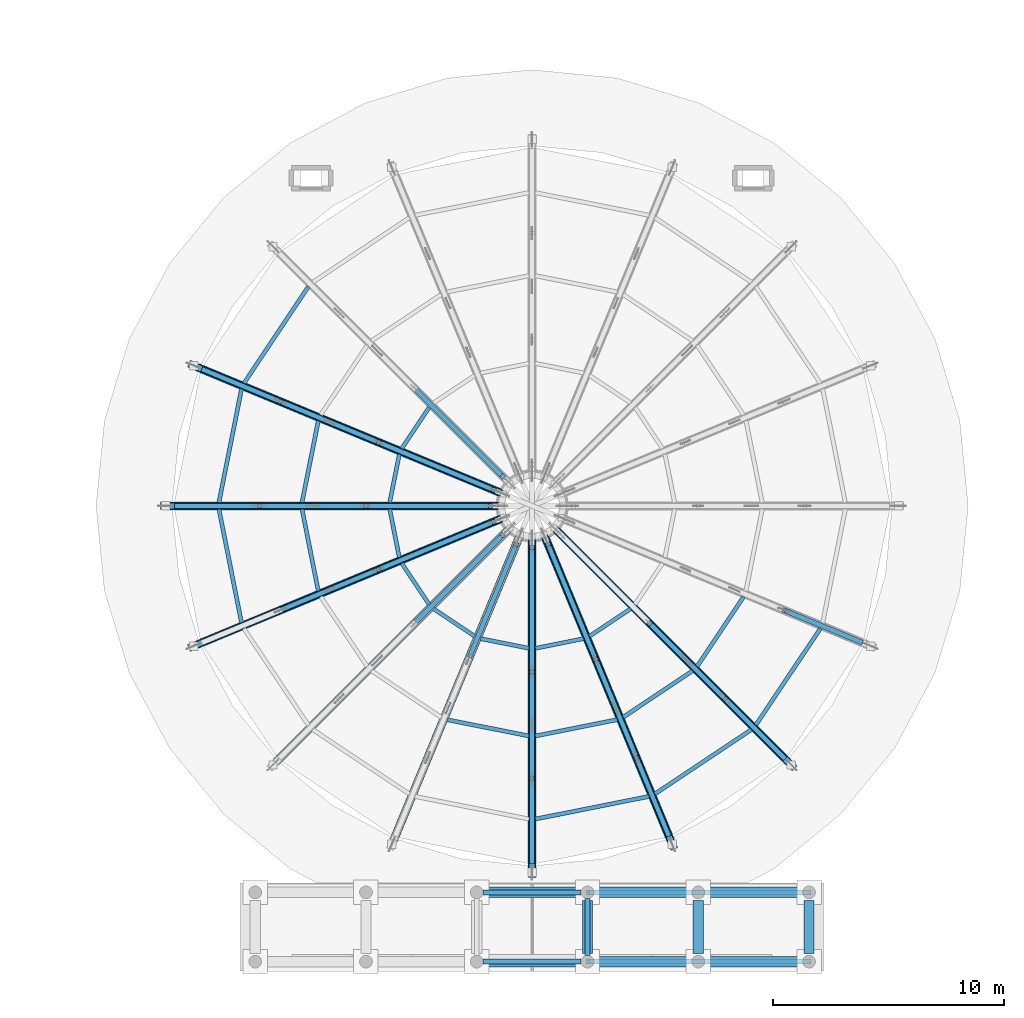
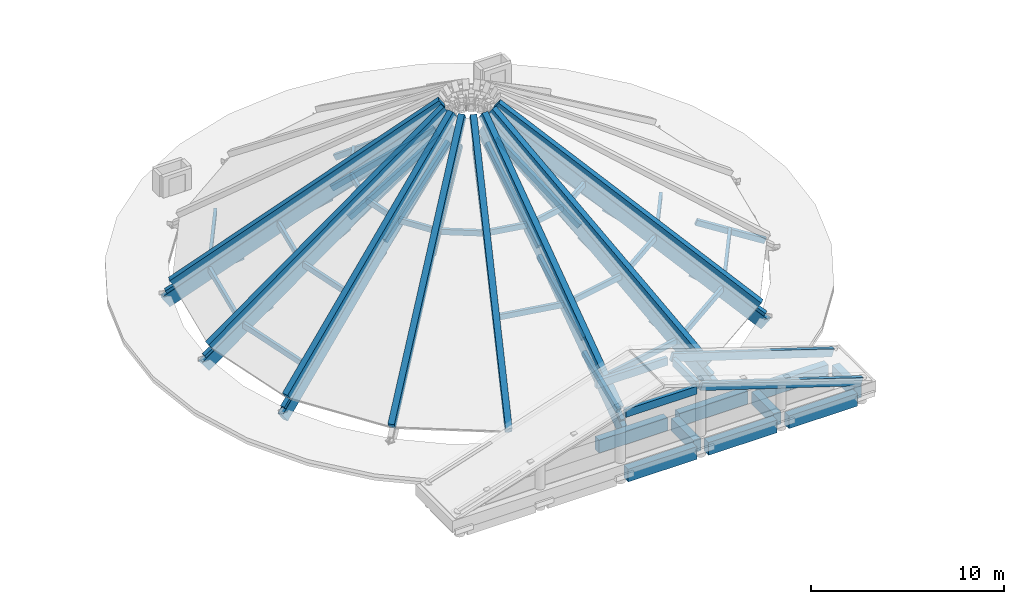
# One storey, part 10 of 58: 54 members, 20 beams.
"""IFC4 building model written with IfcOpenShell, lengths in metres."""

from ifc_helpers import new_model, si_unit, direction, frame, origin, origin_2d, place, context, subcontext, project, spatial, rectangle, extrude, material, material_profile, profile_set, type_object, element, save


model = new_model("IFC4")

# Units and contexts
model_context = context("Model", 3, precision=1e-05, world=origin(), true_north=direction((0.0, 1.0)))
body_context = subcontext(model_context, "Body", "Model", "MODEL_VIEW")
ifc_project = project(units=[si_unit("LENGTHUNIT", "METRE"), si_unit("AREAUNIT", "SQUARE_METRE"), si_unit("VOLUMEUNIT", "CUBIC_METRE"), si_unit("PLANEANGLEUNIT", "RADIAN"), si_unit("MASSUNIT", "GRAM", prefix="KILO")], contexts=[model_context])

# Site, building, storey
site_placement = place(None, origin())
site = spatial("IfcSite", under=ifc_project, at=site_placement, CompositionType="ELEMENT")
building_placement = place(site_placement, origin())
building = spatial("IfcBuilding", under=site, at=building_placement, Name="Aldenvaro Health Centre", CompositionType="ELEMENT")
storey_placement = place(building_placement, frame((0.0, 0.0, 8.75)))
storey = spatial("IfcBuildingStorey", under=building, at=storey_placement, Name="L02", CompositionType="ELEMENT", Elevation=8.75)

# Beams
ifc_material_1 = material(Name="Glulam GL28h", Category="wood")
ifc_material_profile_1 = material_profile(ifc_material_1, rectangle(XDim=0.215087890625, YDim=0.493896484375, at=origin_2d()), Name="GL 215x494", Category="wood")
ifc_profile_set_1 = profile_set([ifc_material_profile_1], Name="Glulam GL28h")
beam_type_1 = type_object("IfcBeamType", Name="BM-GL-494", PredefinedType="BEAM", material=ifc_profile_set_1)
beam_1_placement = place(storey_placement, frame((89.39990234375, 0.52490234375, 4.219970703125), z_axis=(0.0, 1.0, 0.0), x_axis=(-1.0, 0.0, 0.0)))
element("IfcBeam", 1, at=beam_1_placement, inside=storey, type_object=beam_type_1, Name="Portico Pediment Tympanum Tie Beam 2", PredefinedType="BEAM", context=body_context, shape_type="SweptSolid", body=[
    extrude(rectangle(XDim=0.215087890625, YDim=0.493896484375, at=origin_2d()), origin(), (0.0, 0.0, 1.0), 2.4501953125),
])
for number, where, z_axis, x_axis, name in (
    (2, (84.875, 0.25, 4.219970703125), (1.0, 0.0, 0.0), (0.0, 1.0, 0.0), "Portico Pediment Central Ridge Beam 1"),
    (3, (84.875, 3.25, 4.219970703125), (1.0, 0.0, 0.0), (0.0, 1.0, 0.0), "Portico Pediment Central Ridge Beam 2"),
):
    element("IfcBeam", number, at=place(storey_placement, frame(where, z_axis=z_axis, x_axis=x_axis)), inside=storey, type_object=beam_type_1, Name=name, PredefinedType="BEAM", context=body_context, shape_type="SweptSolid", body=[
        extrude(rectangle(XDim=0.215087890625, YDim=0.493896484375, at=origin_2d()), origin(), (0.0, 0.0, 1.0), 4.25),
    ])
ifc_material_2 = material(Name="Concrete f'c 40 MPa", Category="concrete")
ifc_material_profile_2 = material_profile(ifc_material_2, rectangle(XDim=0.35009765625, YDim=0.56005859375, at=origin_2d()), Name="RC 350x560", Category="concrete")
ifc_profile_set_2 = profile_set([ifc_material_profile_2], Name="Concrete f'c 40 MPa")
beam_type_2 = type_object("IfcBeamType", Name="BM-RC-560E", PredefinedType="JOIST", material=ifc_profile_set_2)
beam_2_placement = place(storey_placement, frame((72.660888671875, 25.93896484375, 1.14599609375), z_axis=(0.750685234233, -0.310924451028, 0.582921662711), x_axis=(0.38266289091, 0.923888040793, 0.0)))
element("IfcBeam", 4, at=beam_2_placement, inside=storey, type_object=beam_type_2, Name="Waiting Rotunda Expressed Radial Glulam Roof Rib 08", PredefinedType="JOIST", context=body_context, shape_type="SweptSolid", body=[
    extrude(rectangle(XDim=0.35009765625, YDim=0.56005859375, at=origin_2d()), origin(), (0.0, 0.0, 1.0), 17.316162109375),
])
beam_3_placement = place(storey_placement, frame((71.47998046875, 20.0, 1.14599609375), z_axis=(0.812531427693, 0.0, 0.582917386094), x_axis=(0.0, 1.0, 0.0)))
element("IfcBeam", 5, at=beam_3_placement, inside=storey, type_object=beam_type_2, Name="Waiting Rotunda Expressed Radial Glulam Roof Rib 09", PredefinedType="JOIST", context=body_context, shape_type="SweptSolid", body=[
    extrude(rectangle(XDim=0.35009765625, YDim=0.56005859375, at=origin_2d()), origin(), (0.0, 0.0, 1.0), 17.31640625),
])
beam_4_placement = place(storey_placement, frame((72.660888671875, 14.06103515625, 1.14599609375), z_axis=(0.750685234233, 0.310924451028, 0.582921662711), x_axis=(-0.38266289091, 0.923888040793, 0.0)))
element("IfcBeam", 6, at=beam_4_placement, inside=storey, type_object=beam_type_2, Name="Waiting Rotunda Expressed Radial Glulam Roof Rib 10", PredefinedType="JOIST", context=body_context, shape_type="SweptSolid", body=[
    extrude(rectangle(XDim=0.35009765625, YDim=0.56005859375, at=origin_2d()), origin(), (0.0, 0.0, 1.0), 17.316162109375),
])
beam_5_placement = place(storey_placement, frame((76.02587890625, 9.02587890625, 1.14599609375), z_axis=(0.574549975248, 0.574549975248, 0.582910500751), x_axis=(-0.707106781187, 0.707106781187, 0.0)))
element("IfcBeam", 7, at=beam_5_placement, inside=storey, type_object=beam_type_2, Name="Waiting Rotunda Expressed Radial Glulam Roof Rib 11", PredefinedType="JOIST", context=body_context, shape_type="SweptSolid", body=[
    extrude(rectangle(XDim=0.35009765625, YDim=0.56005859375, at=origin_2d()), origin(), (0.0, 0.0, 1.0), 17.316650390625),
])
beam_6_placement = place(storey_placement, frame((81.06103515625, 5.660888671875, 1.14599609375), z_axis=(0.310924451028, 0.750685234233, 0.582921662711), x_axis=(-0.923888040793, 0.38266289091, 0.0)))
element("IfcBeam", 8, at=beam_6_placement, inside=storey, type_object=beam_type_2, Name="Waiting Rotunda Expressed Radial Glulam Roof Rib 12", PredefinedType="JOIST", context=body_context, shape_type="SweptSolid", body=[
    extrude(rectangle(XDim=0.35009765625, YDim=0.56005859375, at=origin_2d()), origin(), (0.0, 0.0, 1.0), 17.316162109375),
])
beam_7_placement = place(storey_placement, frame((87.0, 4.47998046875, 1.14599609375), z_axis=(0.0, 0.812531427693, 0.582917386094), x_axis=(-1.0, 0.0, 0.0)))
element("IfcBeam", 9, at=beam_7_placement, inside=storey, type_object=beam_type_2, Name="Waiting Rotunda Expressed Radial Glulam Roof Rib 13", PredefinedType="JOIST", context=body_context, shape_type="SweptSolid", body=[
    extrude(rectangle(XDim=0.35009765625, YDim=0.56005859375, at=origin_2d()), origin(), (0.0, 0.0, 1.0), 17.31640625),
])
beam_8_placement = place(storey_placement, frame((92.93896484375, 5.660888671875, 1.14599609375), z_axis=(-0.310924451028, 0.750685234233, 0.582921662711), x_axis=(-0.923888040793, -0.38266289091, 0.0)))
element("IfcBeam", 10, at=beam_8_placement, inside=storey, type_object=beam_type_2, Name="Waiting Rotunda Expressed Radial Glulam Roof Rib 14", PredefinedType="JOIST", context=body_context, shape_type="SweptSolid", body=[
    extrude(rectangle(XDim=0.35009765625, YDim=0.56005859375, at=origin_2d()), origin(), (0.0, 0.0, 1.0), 17.316162109375),
])
beam_9_placement = place(storey_placement, frame((97.97412109375, 9.02587890625, 1.14599609375), z_axis=(-0.574549975248, 0.574549975248, 0.582910500751), x_axis=(-0.707106781187, -0.707106781187, 0.0)))
element("IfcBeam", 11, at=beam_9_placement, inside=storey, type_object=beam_type_2, Name="Waiting Rotunda Expressed Radial Glulam Roof Rib 15", PredefinedType="JOIST", context=body_context, shape_type="SweptSolid", body=[
    extrude(rectangle(XDim=0.35009765625, YDim=0.56005859375, at=origin_2d()), origin(), (0.0, 0.0, 1.0), 17.316650390625),
])
ifc_material_profile_3 = material_profile(ifc_material_2, rectangle(XDim=0.449951171875, YDim=0.800048828125, at=origin_2d()), Name="RC 450x800", Category="concrete")
ifc_profile_set_3 = profile_set([ifc_material_profile_3], Name="Concrete f'c 40 MPa")
beam_type_3 = type_object("IfcBeamType", Name="BM-RC-800", PredefinedType="SPANDREL", material=ifc_profile_set_3)
for number, where, z_axis, x_axis, name in (
    (12, (89.39990234375, 0.60009765625, 0.35009765625), (0.0, 1.0, 0.0), (-1.0, 0.0, 0.0), "Portico Coffered Architrave Tie 4"),
    (13, (94.199951171875, 0.60009765625, 0.35009765625), (0.0, 1.0, 0.0), (-1.0, 0.0, 0.0), "Portico Coffered Architrave Tie 5"),
    (14, (99.0, 0.60009765625, 0.35009765625), (0.0, 1.0, 0.0), (-1.0, 0.0, 0.0), "Portico Coffered Architrave Tie 6"),
):
    element("IfcBeam", number, at=place(storey_placement, frame(where, z_axis=z_axis, x_axis=x_axis)), inside=storey, type_object=beam_type_3, Name=name, PredefinedType="SPANDREL", context=body_context, shape_type="SweptSolid", body=[
        extrude(rectangle(XDim=0.449951171875, YDim=0.800048828125, at=origin_2d()), origin(), (0.0, 0.0, 1.0), 2.2998046875),
    ])
for number, where, z_axis, x_axis, name in (
    (15, (84.949951171875, 0.25, 0.35009765625), (1.0, 0.0, 0.0), (0.0, 1.0, 0.0), "Neoclassical Portico Upper Entablature 3.1"),
    (16, (84.949951171875, 3.25, 0.35009765625), (1.0, 0.0, 0.0), (0.0, 1.0, 0.0), "Neoclassical Portico Upper Entablature 3.2"),
    (17, (89.75, 0.25, 0.35009765625), (1.0, 0.0, 0.0), (0.0, 1.0, 0.0), "Neoclassical Portico Upper Entablature 4.1"),
    (18, (89.75, 3.25, 0.35009765625), (1.0, 0.0, 0.0), (0.0, 1.0, 0.0), "Neoclassical Portico Upper Entablature 4.2"),
):
    element("IfcBeam", number, at=place(storey_placement, frame(where, z_axis=z_axis, x_axis=x_axis)), inside=storey, type_object=beam_type_3, Name=name, PredefinedType="SPANDREL", context=body_context, shape_type="SweptSolid", body=[
        extrude(rectangle(XDim=0.449951171875, YDim=0.800048828125, at=origin_2d()), origin(), (0.0, 0.0, 1.0), 4.10009765625),
    ])
for number, where, z_axis, x_axis, name in (
    (19, (94.550048828125, 0.25, 0.35009765625), (1.0, 0.0, 0.0), (0.0, 1.0, 0.0), "Neoclassical Portico Upper Entablature 5.1"),
    (20, (94.550048828125, 3.25, 0.35009765625), (1.0, 0.0, 0.0), (0.0, 1.0, 0.0), "Neoclassical Portico Upper Entablature 5.2"),
):
    element("IfcBeam", number, at=place(storey_placement, frame(where, z_axis=z_axis, x_axis=x_axis)), inside=storey, type_object=beam_type_3, Name=name, PredefinedType="SPANDREL", context=body_context, shape_type="SweptSolid", body=[
        extrude(rectangle(XDim=0.449951171875, YDim=0.800048828125, at=origin_2d()), origin(), (0.0, 0.0, 1.0), 4.099853515625),
    ])

# Members
ifc_material_profile_4 = material_profile(ifc_material_1, rectangle(XDim=0.264892578125, YDim=0.64599609375, at=origin_2d()), Name="GL 265x646", Category="wood")
ifc_profile_set_4 = profile_set([ifc_material_profile_4], Name="Glulam GL28h")
member_type_1 = type_object("IfcMemberType", Name="MEM-BC-646", PredefinedType="CHORD", material=ifc_profile_set_4)
for number, where, z_axis, x_axis, name in (
    (21, (72.47705078125, 26.01611328125, 0.449951171875), (0.76961034966, -0.318817225016, 0.553222818338), (0.382718454499, 0.923865025091, 0.0), "Waiting Hall Roof Truss 08 Bottom Chord"),
    (22, (71.280029296875, 20.0, 0.449951171875), (0.833036468433, 0.0, 0.553218078392), (0.0, 1.0, 0.0), "Waiting Hall Roof Truss 09 Bottom Chord"),
    (23, (72.47705078125, 13.98388671875, 0.449951171875), (0.76961034966, 0.318817225016, 0.553222818338), (-0.382718454499, 0.923865025091, 0.0), "Waiting Hall Roof Truss 10 Bottom Chord"),
    (24, (87.0, 4.280029296875, 0.449951171875), (0.0, 0.833036468433, 0.553218078392), (-1.0, 0.0, 0.0), "Waiting Hall Roof Truss 13 Bottom Chord"),
    (25, (93.01611328125, 5.47705078125, 0.449951171875), (-0.318817225016, 0.76961034966, 0.553222818338), (-0.923865025091, -0.382718454499, 0.0), "Waiting Hall Roof Truss 14 Bottom Chord"),
):
    element("IfcMember", number, at=place(storey_placement, frame(where, z_axis=z_axis, x_axis=x_axis)), inside=storey, type_object=member_type_1, Name=name, PredefinedType="CHORD", context=body_context, shape_type="SweptSolid", body=[
        extrude(rectangle(XDim=0.264892578125, YDim=0.64599609375, at=origin_2d()), origin(), (0.0, 0.0, 1.0), 17.154052734375),
    ])
member_1_placement = place(storey_placement, frame((98.115966796875, 8.884033203125, 0.449951171875), z_axis=(-0.589052817465, 0.589052817465, 0.553202997528), x_axis=(-0.707106781187, -0.707106781187, 0.0)))
element("IfcMember", 26, at=member_1_placement, inside=storey, type_object=member_type_1, Name="Waiting Hall Roof Truss 15 Bottom Chord", PredefinedType="CHORD", context=body_context, shape_type="SweptSolid", body=[
    extrude(rectangle(XDim=0.264892578125, YDim=0.64599609375, at=origin_2d()), origin(), (0.0, 0.0, 1.0), 17.154541015625),
])
ifc_material_profile_5 = material_profile(ifc_material_1, rectangle(XDim=0.175048828125, YDim=0.35009765625, at=origin_2d()), Name="GL 175x350", Category="wood")
ifc_profile_set_5 = profile_set([ifc_material_profile_5], Name="Glulam GL28h")
member_type_2 = type_object("IfcMemberType", Name="MEM-PR-350", PredefinedType="PURLIN", material=ifc_profile_set_5)
member_2_placement = place(storey_placement, frame((77.304931640625, 29.5009765625, 1.89404296875), z_axis=(-0.555350004785, -0.831616721925, 0.0), x_axis=(0.831616721925, -0.555350004785, 0.0)))
element("IfcMember", 27, at=member_2_placement, inside=storey, type_object=member_type_2, Name="Waiting Hall Roof Purlin 1.07", PredefinedType="PURLIN", context=body_context, shape_type="SweptSolid", body=[
    extrude(rectangle(XDim=0.175048828125, YDim=0.35009765625, at=origin_2d()), origin(), (0.0, 0.0, 1.0), 5.02734375),
])
for number, where, z_axis, x_axis, name in (
    (28, (74.407958984375, 25.06689453125, 1.89404296875), (-0.195153982502, -0.980772615397, 0.0), (0.980772615397, -0.195153982502, 0.0), "Waiting Hall Roof Purlin 1.08"),
    (29, (73.427001953125, 19.863037109375, 1.89404296875), (0.195153982502, -0.980772615397, 0.0), (0.980772615397, 0.195153982502, 0.0), "Waiting Hall Roof Purlin 1.09"),
    (30, (87.136962890625, 6.427001953125, 1.89404296875), (0.980772615397, 0.195153982502, 0.0), (-0.195153982502, 0.980772615397, 0.0), "Waiting Hall Roof Purlin 1.13"),
):
    element("IfcMember", number, at=place(storey_placement, frame(where, z_axis=z_axis, x_axis=x_axis)), inside=storey, type_object=member_type_2, Name=name, PredefinedType="PURLIN", context=body_context, shape_type="SweptSolid", body=[
        extrude(rectangle(XDim=0.175048828125, YDim=0.35009765625, at=origin_2d()), origin(), (0.0, 0.0, 1.0), 5.026611328125),
    ])
for number, where, z_axis, x_axis, name in (
    (31, (92.320068359375, 7.512939453125, 1.89404296875), (0.831616721925, 0.555350004785, 0.0), (-0.555350004785, 0.831616721925, 0.0), "Waiting Hall Roof Purlin 1.14"),
    (32, (96.695068359375, 10.4990234375, 1.89404296875), (0.555350004785, 0.831616721925, 0.0), (-0.831616721925, 0.555350004785, 0.0), "Waiting Hall Roof Purlin 1.15"),
):
    element("IfcMember", number, at=place(storey_placement, frame(where, z_axis=z_axis, x_axis=x_axis)), inside=storey, type_object=member_type_2, Name=name, PredefinedType="PURLIN", context=body_context, shape_type="SweptSolid", body=[
        extrude(rectangle(XDim=0.175048828125, YDim=0.35009765625, at=origin_2d()), origin(), (0.0, 0.0, 1.0), 5.02734375),
    ])
for number, where, z_axis, x_axis, name in (
    (33, (77.73388671875, 23.68994140625, 4.4580078125), (-0.195105123545, -0.98078233608, 0.0), (0.98078233608, -0.195105123545, 0.0), "Waiting Hall Roof Purlin 2.08"),
    (34, (77.027099609375, 19.863037109375, 4.4580078125), (0.195105123545, -0.98078233608, 0.0), (0.98078233608, 0.195105123545, 0.0), "Waiting Hall Roof Purlin 2.09"),
    (35, (83.31005859375, 10.73388671875, 4.4580078125), (0.98078233608, -0.195105123545, 0.0), (0.195105123545, 0.98078233608, 0.0), "Waiting Hall Roof Purlin 2.12"),
    (36, (87.136962890625, 10.027099609375, 4.4580078125), (0.98078233608, 0.195105123545, 0.0), (-0.195105123545, 0.98078233608, 0.0), "Waiting Hall Roof Purlin 2.13"),
):
    element("IfcMember", number, at=place(storey_placement, frame(where, z_axis=z_axis, x_axis=x_axis)), inside=storey, type_object=member_type_2, Name=name, PredefinedType="PURLIN", context=body_context, shape_type="SweptSolid", body=[
        extrude(rectangle(XDim=0.175048828125, YDim=0.35009765625, at=origin_2d()), origin(), (0.0, 0.0, 1.0), 3.62255859375),
    ])
for number, where, z_axis, x_axis, name in (
    (37, (90.943115234375, 10.839111328125, 4.4580078125), (0.831541835825, 0.555462127667, 0.0), (-0.555462127667, 0.831541835825, 0.0), "Waiting Hall Roof Purlin 2.14"),
    (38, (94.14892578125, 13.044921875, 4.4580078125), (0.555462127667, 0.831541835825, 0.0), (-0.831541835825, 0.555462127667, 0.0), "Waiting Hall Roof Purlin 2.15"),
):
    element("IfcMember", number, at=place(storey_placement, frame(where, z_axis=z_axis, x_axis=x_axis)), inside=storey, type_object=member_type_2, Name=name, PredefinedType="PURLIN", context=body_context, shape_type="SweptSolid", body=[
        extrude(rectangle(XDim=0.175048828125, YDim=0.35009765625, at=origin_2d()), origin(), (0.0, 0.0, 1.0), 3.6220703125),
    ])
member_3_placement = place(storey_placement, frame((82.5380859375, 24.26806640625, 7.1650390625), z_axis=(-0.555332112937, -0.831628669744, 0.0), x_axis=(0.831628669744, -0.555332112937, 0.0)))
element("IfcMember", 39, at=member_3_placement, inside=storey, type_object=member_type_2, Name="Waiting Hall Roof Purlin 3.07", PredefinedType="PURLIN", context=body_context, shape_type="SweptSolid", body=[
    extrude(rectangle(XDim=0.175048828125, YDim=0.35009765625, at=origin_2d()), origin(), (0.0, 0.0, 1.0), 2.13916015625),
])
for number, where, z_axis, x_axis, name in (
    (40, (81.2451171875, 22.236083984375, 7.1650390625), (-0.195392211861, -0.980725182477, 0.0), (0.980725182477, -0.195392211861, 0.0), "Waiting Hall Roof Purlin 3.08"),
    (41, (80.826904296875, 19.863037109375, 7.1650390625), (0.195392211861, -0.980725182477, 0.0), (0.980725182477, 0.195392211861, 0.0), "Waiting Hall Roof Purlin 3.09"),
):
    element("IfcMember", number, at=place(storey_placement, frame(where, z_axis=z_axis, x_axis=x_axis)), inside=storey, type_object=member_type_2, Name=name, PredefinedType="PURLIN", context=body_context, shape_type="SweptSolid", body=[
        extrude(rectangle(XDim=0.175048828125, YDim=0.35009765625, at=origin_2d()), origin(), (0.0, 0.0, 1.0), 2.140380859375),
    ])
for number, where, z_axis, x_axis, name in (
    (42, (81.35009765625, 17.510986328125, 7.1650390625), (0.555332112937, -0.831628669744, 0.0), (0.831628669744, 0.555332112937, 0.0), "Waiting Hall Roof Purlin 3.10"),
    (43, (82.73193359375, 15.5380859375, 7.1650390625), (0.831628669744, -0.555332112937, 0.0), (0.555332112937, 0.831628669744, 0.0), "Waiting Hall Roof Purlin 3.11"),
):
    element("IfcMember", number, at=place(storey_placement, frame(where, z_axis=z_axis, x_axis=x_axis)), inside=storey, type_object=member_type_2, Name=name, PredefinedType="PURLIN", context=body_context, shape_type="SweptSolid", body=[
        extrude(rectangle(XDim=0.175048828125, YDim=0.35009765625, at=origin_2d()), origin(), (0.0, 0.0, 1.0), 2.13916015625),
    ])
for number, where, z_axis, x_axis, name in (
    (44, (84.763916015625, 14.2451171875, 7.1650390625), (0.980725182477, -0.195392211861, 0.0), (0.195392211861, 0.980725182477, 0.0), "Waiting Hall Roof Purlin 3.12"),
    (45, (87.136962890625, 13.826904296875, 7.1650390625), (0.980725182477, 0.195392211861, 0.0), (-0.195392211861, 0.980725182477, 0.0), "Waiting Hall Roof Purlin 3.13"),
):
    element("IfcMember", number, at=place(storey_placement, frame(where, z_axis=z_axis, x_axis=x_axis)), inside=storey, type_object=member_type_2, Name=name, PredefinedType="PURLIN", context=body_context, shape_type="SweptSolid", body=[
        extrude(rectangle(XDim=0.175048828125, YDim=0.35009765625, at=origin_2d()), origin(), (0.0, 0.0, 1.0), 2.140380859375),
    ])
member_4_placement = place(storey_placement, frame((89.489013671875, 14.35009765625, 7.1650390625), z_axis=(0.831628669744, 0.555332112937, 0.0), x_axis=(-0.555332112937, 0.831628669744, 0.0)))
element("IfcMember", 46, at=member_4_placement, inside=storey, type_object=member_type_2, Name="Waiting Hall Roof Purlin 3.14", PredefinedType="PURLIN", context=body_context, shape_type="SweptSolid", body=[
    extrude(rectangle(XDim=0.175048828125, YDim=0.35009765625, at=origin_2d()), origin(), (0.0, 0.0, 1.0), 2.13916015625),
])
ifc_material_profile_6 = material_profile(ifc_material_1, rectangle(XDim=0.215087890625, YDim=0.493896484375, at=origin_2d()), Name="GL 215x494", Category="wood")
ifc_profile_set_6 = profile_set([ifc_material_profile_6], Name="Glulam GL28h")
member_type_3 = type_object("IfcMemberType", Name="MEM-RF-494", PredefinedType="RAFTER", material=ifc_profile_set_6)
for number, where, z_axis, x_axis, name in (
    (47, (99.0, 0.25, 1.300048828125), (-0.953055564026, 0.0, 0.302795462117), (0.0, -1.0, 0.0), "Portico Pediment Rafter E-1"),
    (48, (99.0, 3.25, 1.300048828125), (-0.953055564026, 0.0, 0.302795462117), (0.0, -1.0, 0.0), "Portico Pediment Rafter E-2"),
):
    element("IfcMember", number, at=place(storey_placement, frame(where, z_axis=z_axis, x_axis=x_axis)), inside=storey, type_object=member_type_3, Name=name, PredefinedType="RAFTER", context=body_context, shape_type="SweptSolid", body=[
        extrude(rectangle(XDim=0.215087890625, YDim=0.493896484375, at=origin_2d()), origin(), (0.0, 0.0, 1.0), 10.072998046875),
    ])
ifc_material_profile_7 = material_profile(ifc_material_1, rectangle(XDim=0.31494140625, YDim=0.760009765625, at=origin_2d()), Name="GL 315x760", Category="wood")
ifc_profile_set_7 = profile_set([ifc_material_profile_7], Name="Glulam GL28h")
member_type_4 = type_object("IfcMemberType", Name="MEM-TC-760", PredefinedType="CHORD", material=ifc_profile_set_7)
for number, where, z_axis, x_axis, name in (
    (49, (72.3291015625, 26.076904296875, 0.030029296875), (0.7510870781, -0.311115786451, 0.582301613026), (0.3826890307, 0.923877213585, 0.0), "Waiting Hall Roof Truss 08 Top Chord"),
    (50, (72.3291015625, 13.923095703125, 0.030029296875), (0.7510870781, 0.311115786451, 0.582301613026), (-0.3826890307, 0.923877213585, 0.0), "Waiting Hall Roof Truss 10 Top Chord"),
    (51, (93.076904296875, 5.3291015625, 0.030029296875), (-0.311115786451, 0.7510870781, 0.582301613026), (-0.923877213585, -0.3826890307, 0.0), "Waiting Hall Roof Truss 14 Top Chord"),
):
    element("IfcMember", number, at=place(storey_placement, frame(where, z_axis=z_axis, x_axis=x_axis)), inside=storey, type_object=member_type_4, Name=name, PredefinedType="CHORD", context=body_context, shape_type="SweptSolid", body=[
        extrude(rectangle(XDim=0.31494140625, YDim=0.760009765625, at=origin_2d()), origin(), (0.0, 0.0, 1.0), 17.77392578125),
    ])
ifc_material_profile_8 = material_profile(ifc_material_1, rectangle(XDim=0.31494140625, YDim=0.760009765625, at=origin_2d()), Name="GL 315x760", Category="wood")
ifc_profile_set_8 = profile_set([ifc_material_profile_8], Name="Glulam GL28h")
member_type_5 = type_object("IfcMemberType", Name="MEM-TC-760E", PredefinedType="CHORD", material=ifc_profile_set_8)
for number, where, z_axis, x_axis, name in (
    (52, (71.1201171875, 20.0, 0.030029296875), (0.812975460265, 0.0, 0.582297948654), (0.0, 1.0, 0.0), "Waiting Hall Roof Truss 09 Top Chord"),
    (53, (87.0, 4.1201171875, 0.030029296875), (0.0, 0.812975460265, 0.582297948654), (-1.0, 0.0, 0.0), "Waiting Hall Roof Truss 13 Top Chord"),
):
    element("IfcMember", number, at=place(storey_placement, frame(where, z_axis=z_axis, x_axis=x_axis)), inside=storey, type_object=member_type_5, Name=name, PredefinedType="CHORD", context=body_context, shape_type="SweptSolid", body=[
        extrude(rectangle(XDim=0.31494140625, YDim=0.760009765625, at=origin_2d()), origin(), (0.0, 0.0, 1.0), 17.774169921875),
    ])
member_5_placement = place(storey_placement, frame((98.22900390625, 8.77099609375, 0.030029296875), z_axis=(-0.574867311388, 0.574867311388, 0.582284422423), x_axis=(-0.707106781187, -0.707106781187, 0.0)))
element("IfcMember", 54, at=member_5_placement, inside=storey, type_object=member_type_5, Name="Waiting Hall Roof Truss 15 Top Chord", PredefinedType="CHORD", context=body_context, shape_type="SweptSolid", body=[
    extrude(rectangle(XDim=0.31494140625, YDim=0.760009765625, at=origin_2d()), origin(), (0.0, 0.0, 1.0), 17.774658203125),
])
ifc_material_profile_9 = material_profile(ifc_material_1, rectangle(XDim=0.215087890625, YDim=0.342041015625, at=origin_2d()), Name="GL 215x342", Category="wood")
ifc_profile_set_9 = profile_set([ifc_material_profile_9], Name="Glulam GL28h")
member_type_6 = type_object("IfcMemberType", Name="MEM-WD-342", PredefinedType="USERDEFINED", material=ifc_profile_set_9)
member_6_placement = place(storey_placement, frame((81.908935546875, 25.091064453125, 6.35888671875), z_axis=(0.605336137445, -0.605336137445, 0.516852320692), x_axis=(0.707106781187, 0.707106781187, 0.0)))
element("IfcMember", 55, at=member_6_placement, inside=storey, type_object=member_type_6, Name="Waiting Hall Roof Truss 07 Web Diagonal 3", ObjectType="DIAGONAL", PredefinedType="USERDEFINED", context=body_context, shape_type="SweptSolid", body=[
    extrude(rectangle(XDim=0.215087890625, YDim=0.342041015625, at=origin_2d()), origin(), (0.0, 0.0, 1.0), 6.307373046875),
])
member_7_placement = place(storey_placement, frame((72.7451171875, 25.905029296875, 0.98388671875), z_axis=(0.853261818914, -0.353610187179, 0.383280711629), x_axis=(0.382847523166, 0.923811546802, 0.0)))
element("IfcMember", 56, at=member_7_placement, inside=storey, type_object=member_type_6, Name="Waiting Hall Roof Truss 08 Web Diagonal 1", ObjectType="DIAGONAL", PredefinedType="USERDEFINED", context=body_context, shape_type="SweptSolid", body=[
    extrude(rectangle(XDim=0.215087890625, YDim=0.342041015625, at=origin_2d()), origin(), (0.0, 0.0, 1.0), 3.908447265625),
])
member_8_placement = place(storey_placement, frame((76.080078125, 24.52294921875, 3.342041015625), z_axis=(0.817571263767, -0.338702081815, 0.465680285643), x_axis=(0.382734528251, 0.923858366247, 0.0)))
element("IfcMember", 57, at=member_8_placement, inside=storey, type_object=member_type_6, Name="Waiting Hall Roof Truss 08 Web Diagonal 2", ObjectType="DIAGONAL", PredefinedType="USERDEFINED", context=body_context, shape_type="SweptSolid", body=[
    extrude(rectangle(XDim=0.215087890625, YDim=0.342041015625, at=origin_2d()), origin(), (0.0, 0.0, 1.0), 5.22021484375),
])
member_9_placement = place(storey_placement, frame((80.347900390625, 22.7548828125, 6.35888671875), z_axis=(0.790951570173, -0.327527877994, 0.516837598068), x_axis=(0.382588721535, 0.923918757334, 0.0)))
element("IfcMember", 58, at=member_9_placement, inside=storey, type_object=member_type_6, Name="Waiting Hall Roof Truss 08 Web Diagonal 3", ObjectType="DIAGONAL", PredefinedType="USERDEFINED", context=body_context, shape_type="SweptSolid", body=[
    extrude(rectangle(XDim=0.215087890625, YDim=0.342041015625, at=origin_2d()), origin(), (0.0, 0.0, 1.0), 6.3076171875),
])
member_10_placement = place(storey_placement, frame((71.570068359375, 20.0, 0.98388671875), z_axis=(0.923626715127, 0.0, 0.383293218181), x_axis=(0.0, 1.0, 0.0)))
element("IfcMember", 59, at=member_10_placement, inside=storey, type_object=member_type_6, Name="Waiting Hall Roof Truss 09 Web Diagonal 1", ObjectType="DIAGONAL", PredefinedType="USERDEFINED", context=body_context, shape_type="SweptSolid", body=[
    extrude(rectangle(XDim=0.215087890625, YDim=0.342041015625, at=origin_2d()), origin(), (0.0, 0.0, 1.0), 3.908447265625),
])
member_11_placement = place(storey_placement, frame((75.179931640625, 20.0, 3.342041015625), z_axis=(0.884976037482, 0.0, 0.465636567597), x_axis=(0.0, 1.0, 0.0)))
element("IfcMember", 60, at=member_11_placement, inside=storey, type_object=member_type_6, Name="Waiting Hall Roof Truss 09 Web Diagonal 2", ObjectType="DIAGONAL", PredefinedType="USERDEFINED", context=body_context, shape_type="SweptSolid", body=[
    extrude(rectangle(XDim=0.215087890625, YDim=0.342041015625, at=origin_2d()), origin(), (0.0, 0.0, 1.0), 5.220703125),
])
member_12_placement = place(storey_placement, frame((79.800048828125, 20.0, 6.35888671875), z_axis=(0.856086094507, 0.0, 0.516833240797), x_axis=(0.0, 1.0, 0.0)))
element("IfcMember", 61, at=member_12_placement, inside=storey, type_object=member_type_6, Name="Waiting Hall Roof Truss 09 Web Diagonal 3", ObjectType="DIAGONAL", PredefinedType="USERDEFINED", context=body_context, shape_type="SweptSolid", body=[
    extrude(rectangle(XDim=0.215087890625, YDim=0.342041015625, at=origin_2d()), origin(), (0.0, 0.0, 1.0), 6.3076171875),
])
member_13_placement = place(storey_placement, frame((76.080078125, 15.47705078125, 3.342041015625), z_axis=(0.817571263767, 0.338702081815, 0.465680285643), x_axis=(-0.382734528251, 0.923858366247, 0.0)))
element("IfcMember", 62, at=member_13_placement, inside=storey, type_object=member_type_6, Name="Waiting Hall Roof Truss 10 Web Diagonal 2", ObjectType="DIAGONAL", PredefinedType="USERDEFINED", context=body_context, shape_type="SweptSolid", body=[
    extrude(rectangle(XDim=0.215087890625, YDim=0.342041015625, at=origin_2d()), origin(), (0.0, 0.0, 1.0), 5.22021484375),
])
member_14_placement = place(storey_placement, frame((80.347900390625, 17.2451171875, 6.35888671875), z_axis=(0.790951570173, 0.327527877994, 0.516837598068), x_axis=(-0.382588721535, 0.923918757334, 0.0)))
element("IfcMember", 63, at=member_14_placement, inside=storey, type_object=member_type_6, Name="Waiting Hall Roof Truss 10 Web Diagonal 3", ObjectType="DIAGONAL", PredefinedType="USERDEFINED", context=body_context, shape_type="SweptSolid", body=[
    extrude(rectangle(XDim=0.215087890625, YDim=0.342041015625, at=origin_2d()), origin(), (0.0, 0.0, 1.0), 6.3076171875),
])
member_15_placement = place(storey_placement, frame((81.908935546875, 14.908935546875, 6.35888671875), z_axis=(0.605336137445, 0.605336137445, 0.516852320692), x_axis=(-0.707106781187, 0.707106781187, 0.0)))
element("IfcMember", 64, at=member_15_placement, inside=storey, type_object=member_type_6, Name="Waiting Hall Roof Truss 11 Web Diagonal 3", ObjectType="DIAGONAL", PredefinedType="USERDEFINED", context=body_context, shape_type="SweptSolid", body=[
    extrude(rectangle(XDim=0.215087890625, YDim=0.342041015625, at=origin_2d()), origin(), (0.0, 0.0, 1.0), 6.307373046875),
])
member_16_placement = place(storey_placement, frame((84.2451171875, 13.347900390625, 6.35888671875), z_axis=(0.327527877994, 0.790951570173, 0.516837598068), x_axis=(-0.923918757334, 0.382588721535, 0.0)))
element("IfcMember", 65, at=member_16_placement, inside=storey, type_object=member_type_6, Name="Waiting Hall Roof Truss 12 Web Diagonal 3", ObjectType="DIAGONAL", PredefinedType="USERDEFINED", context=body_context, shape_type="SweptSolid", body=[
    extrude(rectangle(XDim=0.215087890625, YDim=0.342041015625, at=origin_2d()), origin(), (0.0, 0.0, 1.0), 6.3076171875),
])
member_17_placement = place(storey_placement, frame((87.0, 4.570068359375, 0.98388671875), z_axis=(0.0, 0.923626715127, 0.383293218181), x_axis=(-1.0, 0.0, 0.0)))
element("IfcMember", 66, at=member_17_placement, inside=storey, type_object=member_type_6, Name="Waiting Hall Roof Truss 13 Web Diagonal 1", ObjectType="DIAGONAL", PredefinedType="USERDEFINED", context=body_context, shape_type="SweptSolid", body=[
    extrude(rectangle(XDim=0.215087890625, YDim=0.342041015625, at=origin_2d()), origin(), (0.0, 0.0, 1.0), 3.908447265625),
])
member_18_placement = place(storey_placement, frame((87.0, 8.179931640625, 3.342041015625), z_axis=(0.0, 0.884976037482, 0.465636567597), x_axis=(-1.0, 0.0, 0.0)))
element("IfcMember", 67, at=member_18_placement, inside=storey, type_object=member_type_6, Name="Waiting Hall Roof Truss 13 Web Diagonal 2", ObjectType="DIAGONAL", PredefinedType="USERDEFINED", context=body_context, shape_type="SweptSolid", body=[
    extrude(rectangle(XDim=0.215087890625, YDim=0.342041015625, at=origin_2d()), origin(), (0.0, 0.0, 1.0), 5.220703125),
])
member_19_placement = place(storey_placement, frame((87.0, 12.800048828125, 6.35888671875), z_axis=(0.0, 0.856086094507, 0.516833240797), x_axis=(-1.0, 0.0, 0.0)))
element("IfcMember", 68, at=member_19_placement, inside=storey, type_object=member_type_6, Name="Waiting Hall Roof Truss 13 Web Diagonal 3", ObjectType="DIAGONAL", PredefinedType="USERDEFINED", context=body_context, shape_type="SweptSolid", body=[
    extrude(rectangle(XDim=0.215087890625, YDim=0.342041015625, at=origin_2d()), origin(), (0.0, 0.0, 1.0), 6.3076171875),
])
member_20_placement = place(storey_placement, frame((92.905029296875, 5.7451171875, 0.98388671875), z_axis=(-0.353610187179, 0.853261818914, 0.383280711629), x_axis=(-0.923811546802, -0.382847523166, 0.0)))
element("IfcMember", 69, at=member_20_placement, inside=storey, type_object=member_type_6, Name="Waiting Hall Roof Truss 14 Web Diagonal 1", ObjectType="DIAGONAL", PredefinedType="USERDEFINED", context=body_context, shape_type="SweptSolid", body=[
    extrude(rectangle(XDim=0.215087890625, YDim=0.342041015625, at=origin_2d()), origin(), (0.0, 0.0, 1.0), 3.908447265625),
])
member_21_placement = place(storey_placement, frame((91.52294921875, 9.080078125, 3.342041015625), z_axis=(-0.338702081815, 0.817571263767, 0.465680285643), x_axis=(-0.923858366247, -0.382734528251, 0.0)))
element("IfcMember", 70, at=member_21_placement, inside=storey, type_object=member_type_6, Name="Waiting Hall Roof Truss 14 Web Diagonal 2", ObjectType="DIAGONAL", PredefinedType="USERDEFINED", context=body_context, shape_type="SweptSolid", body=[
    extrude(rectangle(XDim=0.215087890625, YDim=0.342041015625, at=origin_2d()), origin(), (0.0, 0.0, 1.0), 5.22021484375),
])
member_22_placement = place(storey_placement, frame((89.7548828125, 13.347900390625, 6.35888671875), z_axis=(-0.327527877994, 0.790951570173, 0.516837598068), x_axis=(-0.923918757334, -0.382588721535, 0.0)))
element("IfcMember", 71, at=member_22_placement, inside=storey, type_object=member_type_6, Name="Waiting Hall Roof Truss 14 Web Diagonal 3", ObjectType="DIAGONAL", PredefinedType="USERDEFINED", context=body_context, shape_type="SweptSolid", body=[
    extrude(rectangle(XDim=0.215087890625, YDim=0.342041015625, at=origin_2d()), origin(), (0.0, 0.0, 1.0), 6.3076171875),
])
member_23_placement = place(storey_placement, frame((97.910888671875, 9.089111328125, 0.98388671875), z_axis=(-0.653118486986, 0.653118486986, 0.38323946028), x_axis=(-0.707106781187, -0.707106781187, 0.0)))
element("IfcMember", 72, at=member_23_placement, inside=storey, type_object=member_type_6, Name="Waiting Hall Roof Truss 15 Web Diagonal 1", ObjectType="DIAGONAL", PredefinedType="USERDEFINED", context=body_context, shape_type="SweptSolid", body=[
    extrude(rectangle(XDim=0.215087890625, YDim=0.342041015625, at=origin_2d()), origin(), (0.0, 0.0, 1.0), 3.908935546875),
])
member_24_placement = place(storey_placement, frame((95.35791015625, 11.64208984375, 3.342041015625), z_axis=(-0.625769629693, 0.625769629693, 0.465644436354), x_axis=(-0.707106781187, -0.707106781187, 0.0)))
element("IfcMember", 73, at=member_24_placement, inside=storey, type_object=member_type_6, Name="Waiting Hall Roof Truss 15 Web Diagonal 2", ObjectType="DIAGONAL", PredefinedType="USERDEFINED", context=body_context, shape_type="SweptSolid", body=[
    extrude(rectangle(XDim=0.215087890625, YDim=0.342041015625, at=origin_2d()), origin(), (0.0, 0.0, 1.0), 5.220458984375),
])
member_25_placement = place(storey_placement, frame((101.2548828125, 14.094970703125, 0.98388671875), z_axis=(-0.853261818914, 0.353610187179, 0.383280711629), x_axis=(-0.382847523166, -0.923811546802, 0.0)))
element("IfcMember", 74, at=member_25_placement, inside=storey, type_object=member_type_6, Name="Waiting Hall Roof Truss 16 Web Diagonal 1", ObjectType="DIAGONAL", PredefinedType="USERDEFINED", context=body_context, shape_type="SweptSolid", body=[
    extrude(rectangle(XDim=0.215087890625, YDim=0.342041015625, at=origin_2d()), origin(), (0.0, 0.0, 1.0), 3.908447265625),
])

save(model, "model.ifc")
